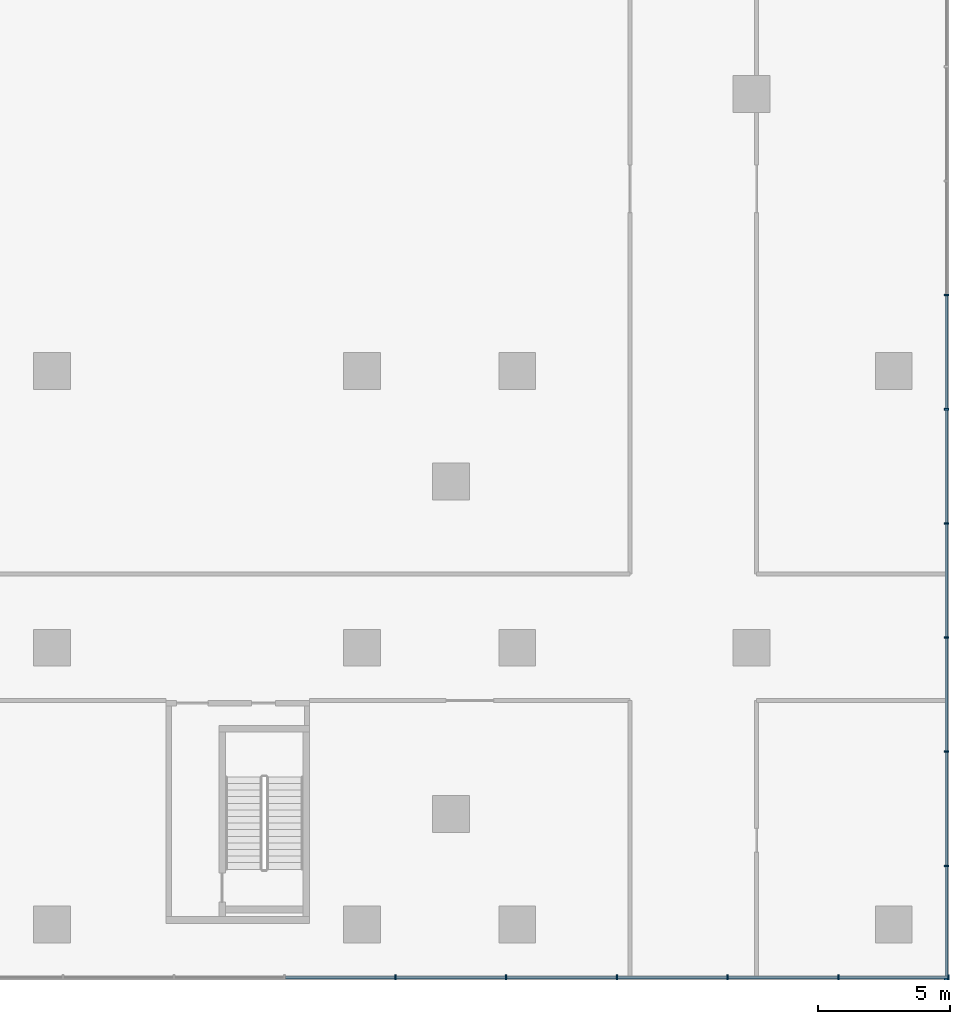
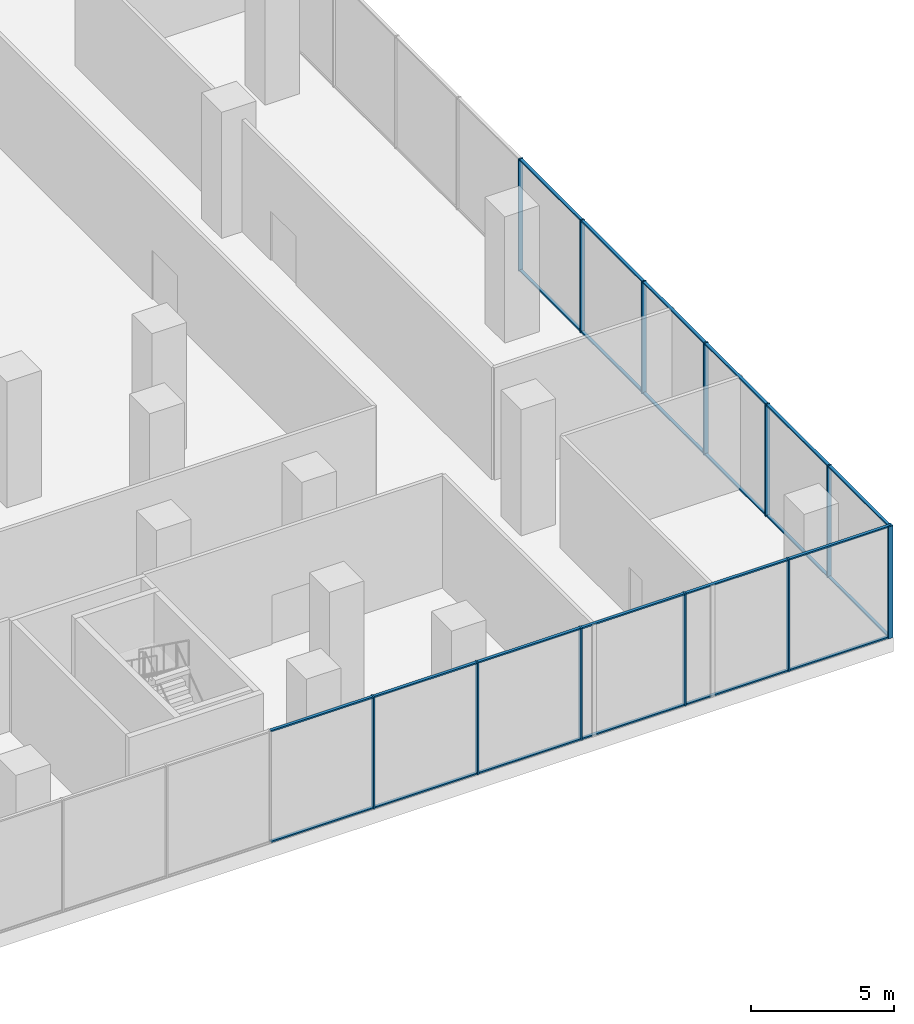
# One storey, part 8 of 24: 37 members, 2 elements without a shape of their own.
"""IFC4 building model written with IfcOpenShell, lengths in metres."""

from ifc_helpers import new_model, si_unit, direction, frame, origin, origin_2d, place, context, subcontext, project, spatial, rectangle, extrude, source, transform, mapped, material, layer, layer_set, material_profile, profile_set, type_object, element, aggregate, save


model = new_model("IFC4")

# Units and contexts
model_context = context("Model", 3, precision=1e-05, world=origin(), true_north=direction((0.0, 1.0)))
body_context = subcontext(model_context, "Body", "Model", "MODEL_VIEW")
ifc_project = project(units=[si_unit("LENGTHUNIT", "METRE"), si_unit("AREAUNIT", "SQUARE_METRE"), si_unit("VOLUMEUNIT", "CUBIC_METRE"), si_unit("PLANEANGLEUNIT", "RADIAN"), si_unit("MASSUNIT", "GRAM", prefix="KILO")], contexts=[model_context])

# Site, building, storey
site_placement = place(None, origin())
site = spatial("IfcSite", under=ifc_project, at=site_placement, CompositionType="ELEMENT")
building_placement = place(site_placement, origin())
building = spatial("IfcBuilding", under=site, at=building_placement, Name="Aurelian Terraces", CompositionType="ELEMENT")
storey_placement = place(building_placement, frame((0.0, 0.0, 12.9)))
storey = spatial("IfcBuildingStorey", under=building, at=storey_placement, Name="L02", CompositionType="ELEMENT", Elevation=12.9)

# Curtain wall, members
ifc_material_1 = material(Name="Anodised aluminium and clear glazing", Category="aluminium")
ifc_layer = layer(ifc_material_1, 0.2)
ifc_layer_set = layer_set([ifc_layer], Name="Winter garden glazing curtain wall")
curtain_wall_type = type_object("IfcCurtainWallType", Name="Winter garden glazing curtain wall", PredefinedType="NOTDEFINED", material=ifc_layer_set)
curtain_wall_1_placement = place(storey_placement, origin())
curtain_wall_1 = element("IfcCurtainWall", 1, at=curtain_wall_1_placement, inside=storey, type_object=curtain_wall_type, Name="Winter garden glazing L02 F02.1", PredefinedType="NOTDEFINED")
ifc_material_2 = material(Name="Anodised aluminium", Category="aluminium")
ifc_material_profile_1 = material_profile(ifc_material_2, rectangle(XDim=0.12, YDim=0.06, at=origin_2d()))
ifc_profile_set_1 = profile_set([ifc_material_profile_1], Name="Anodised aluminium")
member_type_1 = type_object("IfcMemberType", Name="Winter garden glazing transom", PredefinedType="USERDEFINED", material=ifc_profile_set_1)
member_1_placement = place(storey_placement, frame((86.0, -2.04, 0.03), z_axis=(0.0, 1.0, 0.0), x_axis=(-1.0, 0.0, 0.0)))
member_1 = element("IfcMember", 2, at=member_1_placement, type_object=member_type_1, Name="CW6 transom 1.1", ObjectType="TRANSOM", PredefinedType="USERDEFINED", context=body_context, shape_type="SweptSolid", body=[
    extrude(rectangle(XDim=0.12, YDim=0.06, at=origin_2d()), origin(), (0.0, 0.0, 1.0), 4.2392),
])
member_2_placement = place(storey_placement, frame((86.0, 2.2592, 0.03), z_axis=(0.0, 1.0, 0.0), x_axis=(-1.0, 0.0, 0.0)))
member_2 = element("IfcMember", 3, at=member_2_placement, type_object=member_type_1, Name="CW6 transom 2.1", ObjectType="TRANSOM", PredefinedType="USERDEFINED", context=body_context, shape_type="SweptSolid", body=[
    extrude(rectangle(XDim=0.12, YDim=0.06, at=origin_2d()), origin(), (0.0, 0.0, 1.0), 4.2693),
])
member_3_placement = place(storey_placement, frame((86.0, 6.5885, 0.03), z_axis=(0.0, 1.0, 0.0), x_axis=(-1.0, 0.0, 0.0)))
member_3 = element("IfcMember", 4, at=member_3_placement, type_object=member_type_1, Name="CW6 transom 3.1", ObjectType="TRANSOM", PredefinedType="USERDEFINED", context=body_context, shape_type="SweptSolid", body=[
    extrude(rectangle(XDim=0.12, YDim=0.06, at=origin_2d()), origin(), (0.0, 0.0, 1.0), 4.2692),
])

curtain_wall_2_placement = place(storey_placement, origin())
curtain_wall_2 = element("IfcCurtainWall", 5, at=curtain_wall_2_placement, inside=storey, type_object=curtain_wall_type, Name="Winter garden glazing L02 F01.1", PredefinedType="NOTDEFINED")
ifc_material_profile_2 = material_profile(ifc_material_2, rectangle(XDim=0.18, YDim=0.06, at=origin_2d()))
ifc_profile_set_2 = profile_set([ifc_material_profile_2], Name="Anodised aluminium")
member_type_2 = type_object("IfcMemberType", Name="Winter garden glazing mullion", PredefinedType="MULLION", material=ifc_profile_set_2)
shared_shape_1 = source(origin(), body_context, "Body", "SweptSolid", [
    extrude(rectangle(XDim=0.18, YDim=0.06, at=origin_2d()), origin(), (0.0, 0.0, 1.0), 4.8),
])
member_4_placement = place(storey_placement, frame((65.1, -2.0, 0.0), z_axis=(0.0, 0.0, 1.0), x_axis=(0.0, 1.0, 0.0)))
member_4 = element("IfcMember", 6, at=member_4_placement, type_object=member_type_2, Name="CW6 mullion 17", PredefinedType="MULLION", context=body_context, shape_type="MappedRepresentation", body=[
    mapped(shared_shape_1, transform((0.0, 0.0, 0.0), scale=1.0)),
])
member_5_placement = place(storey_placement, frame((69.3, -2.0, 0.0), z_axis=(0.0, 0.0, 1.0), x_axis=(0.0, 1.0, 0.0)))
member_5 = element("IfcMember", 7, at=member_5_placement, type_object=member_type_2, Name="CW6 mullion 18", PredefinedType="MULLION", context=body_context, shape_type="MappedRepresentation", body=[
    mapped(shared_shape_1, transform((0.0, 0.0, 0.0), scale=1.0)),
])
member_6_placement = place(storey_placement, frame((73.5, -2.0, 0.0), z_axis=(0.0, 0.0, 1.0), x_axis=(0.0, 1.0, 0.0)))
member_6 = element("IfcMember", 8, at=member_6_placement, type_object=member_type_2, Name="CW6 mullion 19", PredefinedType="MULLION", context=body_context, shape_type="MappedRepresentation", body=[
    mapped(shared_shape_1, transform((0.0, 0.0, 0.0), scale=1.0)),
])
member_7_placement = place(storey_placement, frame((77.7, -2.0, 0.0), z_axis=(0.0, 0.0, 1.0), x_axis=(0.0, 1.0, 0.0)))
member_7 = element("IfcMember", 9, at=member_7_placement, type_object=member_type_2, Name="CW6 mullion 20", PredefinedType="MULLION", context=body_context, shape_type="MappedRepresentation", body=[
    mapped(shared_shape_1, transform((0.0, 0.0, 0.0), scale=1.0)),
])
member_8_placement = place(storey_placement, frame((81.9, -2.0, 0.0), z_axis=(0.0, 0.0, 1.0), x_axis=(0.0, 1.0, 0.0)))
member_8 = element("IfcMember", 10, at=member_8_placement, type_object=member_type_2, Name="CW6 mullion 21", PredefinedType="MULLION", context=body_context, shape_type="MappedRepresentation", body=[
    mapped(shared_shape_1, transform((0.0, 0.0, 0.0), scale=1.0)),
])
member_9_placement = place(storey_placement, frame((86.07, -2.0, 0.0), z_axis=(0.0, 0.0, 1.0), x_axis=(0.0, 1.0, 0.0)))
member_9 = element("IfcMember", 11, at=member_9_placement, type_object=member_type_2, Name="CW6 mullion 22", PredefinedType="MULLION", context=body_context, shape_type="MappedRepresentation", body=[
    mapped(shared_shape_1, transform((0.0, 0.0, 0.0), scale=1.0)),
])

# Member
member_10_placement = place(storey_placement, frame((86.0, -2.07, 0.0), z_axis=(0.0, 0.0, 1.0), x_axis=(-1.0, 0.0, 0.0)))
member_10 = element("IfcMember", 12, at=member_10_placement, type_object=member_type_2, Name="CW6 mullion 1", PredefinedType="MULLION", context=body_context, shape_type="MappedRepresentation", body=[
    mapped(shared_shape_1, transform((0.0, 0.0, 0.0), scale=1.0)),
])

member_11_placement = place(storey_placement, frame((86.0, 2.2292, 0.0), z_axis=(0.0, 0.0, 1.0), x_axis=(-1.0, 0.0, 0.0)))
member_11 = element("IfcMember", 13, at=member_11_placement, type_object=member_type_2, Name="CW6 mullion 2", PredefinedType="MULLION", context=body_context, shape_type="MappedRepresentation", body=[
    mapped(shared_shape_1, transform((0.0, 0.0, 0.0), scale=1.0)),
])

member_12_placement = place(storey_placement, frame((86.0, 6.5585, 0.0), z_axis=(0.0, 0.0, 1.0), x_axis=(-1.0, 0.0, 0.0)))
member_12 = element("IfcMember", 14, at=member_12_placement, type_object=member_type_2, Name="CW6 mullion 3", PredefinedType="MULLION", context=body_context, shape_type="MappedRepresentation", body=[
    mapped(shared_shape_1, transform((0.0, 0.0, 0.0), scale=1.0)),
])

member_13_placement = place(storey_placement, frame((86.0, 10.8877, 0.0), z_axis=(0.0, 0.0, 1.0), x_axis=(-1.0, 0.0, 0.0)))
member_13 = element("IfcMember", 15, at=member_13_placement, type_object=member_type_2, Name="CW6 mullion 4", PredefinedType="MULLION", context=body_context, shape_type="MappedRepresentation", body=[
    mapped(shared_shape_1, transform((0.0, 0.0, 0.0), scale=1.0)),
])

member_14_placement = place(storey_placement, frame((86.0, 15.2169, 0.0), z_axis=(0.0, 0.0, 1.0), x_axis=(-1.0, 0.0, 0.0)))
member_14 = element("IfcMember", 16, at=member_14_placement, type_object=member_type_2, Name="CW6 mullion 5", PredefinedType="MULLION", context=body_context, shape_type="MappedRepresentation", body=[
    mapped(shared_shape_1, transform((0.0, 0.0, 0.0), scale=1.0)),
])

member_15_placement = place(storey_placement, frame((86.0, 19.5462, 0.0), z_axis=(0.0, 0.0, 1.0), x_axis=(-1.0, 0.0, 0.0)))
member_15 = element("IfcMember", 17, at=member_15_placement, type_object=member_type_2, Name="CW6 mullion 6", PredefinedType="MULLION", context=body_context, shape_type="MappedRepresentation", body=[
    mapped(shared_shape_1, transform((0.0, 0.0, 0.0), scale=1.0)),
])

member_16_placement = place(storey_placement, frame((86.0, 23.8754, 0.0), z_axis=(0.0, 0.0, 1.0), x_axis=(-1.0, 0.0, 0.0)))
member_16 = element("IfcMember", 18, at=member_16_placement, type_object=member_type_2, Name="CW6 mullion 7", PredefinedType="MULLION", context=body_context, shape_type="MappedRepresentation", body=[
    mapped(shared_shape_1, transform((0.0, 0.0, 0.0), scale=1.0)),
])

shared_shape_2 = source(origin(), body_context, "Body", "SweptSolid", [
    extrude(rectangle(XDim=0.12, YDim=0.06, at=origin_2d()), origin(), (0.0, 0.0, 1.0), 4.11),
])
member_17_placement = place(storey_placement, frame((81.93, -2.0, 0.03), z_axis=(1.0, 0.0, 0.0), x_axis=(0.0, 1.0, 0.0)))
member_17 = element("IfcMember", 19, at=member_17_placement, type_object=member_type_1, Name="CW6 transom 21.1", ObjectType="TRANSOM", PredefinedType="USERDEFINED", context=body_context, shape_type="MappedRepresentation", body=[
    mapped(shared_shape_2, transform((0.0, 0.0, 0.0), scale=1.0)),
])

member_18_placement = place(storey_placement, frame((81.93, -2.0, 4.77), z_axis=(1.0, 0.0, 0.0), x_axis=(0.0, 1.0, 0.0)))
member_18 = element("IfcMember", 20, at=member_18_placement, type_object=member_type_1, Name="CW6 transom 21.2", ObjectType="TRANSOM", PredefinedType="USERDEFINED", context=body_context, shape_type="MappedRepresentation", body=[
    mapped(shared_shape_2, transform((0.0, 0.0, 0.0), scale=1.0)),
])

shared_shape_3 = source(origin(), body_context, "Body", "SweptSolid", [
    extrude(rectangle(XDim=0.12, YDim=0.06, at=origin_2d()), origin(), (0.0, 0.0, 1.0), 4.14),
])
member_19_placement = place(storey_placement, frame((60.93, -2.0, 0.03), z_axis=(1.0, 0.0, 0.0), x_axis=(0.0, 1.0, 0.0)))
member_19 = element("IfcMember", 21, at=member_19_placement, type_object=member_type_1, Name="CW6 transom 16.1", ObjectType="TRANSOM", PredefinedType="USERDEFINED", context=body_context, shape_type="MappedRepresentation", body=[
    mapped(shared_shape_3, transform((0.0, 0.0, 0.0), scale=1.0)),
])

member_20_placement = place(storey_placement, frame((60.93, -2.0, 4.77), z_axis=(1.0, 0.0, 0.0), x_axis=(0.0, 1.0, 0.0)))
member_20 = element("IfcMember", 22, at=member_20_placement, type_object=member_type_1, Name="CW6 transom 16.2", ObjectType="TRANSOM", PredefinedType="USERDEFINED", context=body_context, shape_type="MappedRepresentation", body=[
    mapped(shared_shape_3, transform((0.0, 0.0, 0.0), scale=1.0)),
])

member_21_placement = place(storey_placement, frame((65.13, -2.0, 0.03), z_axis=(1.0, 0.0, 0.0), x_axis=(0.0, 1.0, 0.0)))
member_21 = element("IfcMember", 23, at=member_21_placement, type_object=member_type_1, Name="CW6 transom 17.1", ObjectType="TRANSOM", PredefinedType="USERDEFINED", context=body_context, shape_type="MappedRepresentation", body=[
    mapped(shared_shape_3, transform((0.0, 0.0, 0.0), scale=1.0)),
])

member_22_placement = place(storey_placement, frame((65.13, -2.0, 4.77), z_axis=(1.0, 0.0, 0.0), x_axis=(0.0, 1.0, 0.0)))
member_22 = element("IfcMember", 24, at=member_22_placement, type_object=member_type_1, Name="CW6 transom 17.2", ObjectType="TRANSOM", PredefinedType="USERDEFINED", context=body_context, shape_type="MappedRepresentation", body=[
    mapped(shared_shape_3, transform((0.0, 0.0, 0.0), scale=1.0)),
])

member_23_placement = place(storey_placement, frame((69.33, -2.0, 0.03), z_axis=(1.0, 0.0, 0.0), x_axis=(0.0, 1.0, 0.0)))
member_23 = element("IfcMember", 25, at=member_23_placement, type_object=member_type_1, Name="CW6 transom 18.1", ObjectType="TRANSOM", PredefinedType="USERDEFINED", context=body_context, shape_type="MappedRepresentation", body=[
    mapped(shared_shape_3, transform((0.0, 0.0, 0.0), scale=1.0)),
])

member_24_placement = place(storey_placement, frame((69.33, -2.0, 4.77), z_axis=(1.0, 0.0, 0.0), x_axis=(0.0, 1.0, 0.0)))
member_24 = element("IfcMember", 26, at=member_24_placement, type_object=member_type_1, Name="CW6 transom 18.2", ObjectType="TRANSOM", PredefinedType="USERDEFINED", context=body_context, shape_type="MappedRepresentation", body=[
    mapped(shared_shape_3, transform((0.0, 0.0, 0.0), scale=1.0)),
])

member_25_placement = place(storey_placement, frame((73.53, -2.0, 0.03), z_axis=(1.0, 0.0, 0.0), x_axis=(0.0, 1.0, 0.0)))
member_25 = element("IfcMember", 27, at=member_25_placement, type_object=member_type_1, Name="CW6 transom 19.1", ObjectType="TRANSOM", PredefinedType="USERDEFINED", context=body_context, shape_type="MappedRepresentation", body=[
    mapped(shared_shape_3, transform((0.0, 0.0, 0.0), scale=1.0)),
])

member_26_placement = place(storey_placement, frame((73.53, -2.0, 4.77), z_axis=(1.0, 0.0, 0.0), x_axis=(0.0, 1.0, 0.0)))
member_26 = element("IfcMember", 28, at=member_26_placement, type_object=member_type_1, Name="CW6 transom 19.2", ObjectType="TRANSOM", PredefinedType="USERDEFINED", context=body_context, shape_type="MappedRepresentation", body=[
    mapped(shared_shape_3, transform((0.0, 0.0, 0.0), scale=1.0)),
])

member_27_placement = place(storey_placement, frame((77.73, -2.0, 0.03), z_axis=(1.0, 0.0, 0.0), x_axis=(0.0, 1.0, 0.0)))
member_27 = element("IfcMember", 29, at=member_27_placement, type_object=member_type_1, Name="CW6 transom 20.1", ObjectType="TRANSOM", PredefinedType="USERDEFINED", context=body_context, shape_type="MappedRepresentation", body=[
    mapped(shared_shape_3, transform((0.0, 0.0, 0.0), scale=1.0)),
])

member_28_placement = place(storey_placement, frame((77.73, -2.0, 4.77), z_axis=(1.0, 0.0, 0.0), x_axis=(0.0, 1.0, 0.0)))
member_28 = element("IfcMember", 30, at=member_28_placement, type_object=member_type_1, Name="CW6 transom 20.2", ObjectType="TRANSOM", PredefinedType="USERDEFINED", context=body_context, shape_type="MappedRepresentation", body=[
    mapped(shared_shape_3, transform((0.0, 0.0, 0.0), scale=1.0)),
])

aggregate(curtain_wall_2, [member_4, member_5, member_6, member_7, member_8, member_9, member_19, member_20, member_21, member_22, member_23, member_24, member_25, member_26, member_27, member_28, member_17, member_18])

shared_shape_4 = source(origin(), body_context, "Body", "SweptSolid", [
    extrude(rectangle(XDim=0.12, YDim=0.06, at=origin_2d()), origin(), (0.0, 0.0, 1.0), 4.2392),
])
member_29_placement = place(storey_placement, frame((86.0, -2.04, 4.77), z_axis=(0.0, 1.0, 0.0), x_axis=(-1.0, 0.0, 0.0)))
member_29 = element("IfcMember", 31, at=member_29_placement, type_object=member_type_1, Name="CW6 transom 1.2", ObjectType="TRANSOM", PredefinedType="USERDEFINED", context=body_context, shape_type="MappedRepresentation", body=[
    mapped(shared_shape_4, transform((0.0, 0.0, 0.0), scale=1.0)),
])

shared_shape_5 = source(origin(), body_context, "Body", "SweptSolid", [
    extrude(rectangle(XDim=0.12, YDim=0.06, at=origin_2d()), origin(), (0.0, 0.0, 1.0), 4.2693),
])
member_30_placement = place(storey_placement, frame((86.0, 2.2592, 4.77), z_axis=(0.0, 1.0, 0.0), x_axis=(-1.0, 0.0, 0.0)))
member_30 = element("IfcMember", 32, at=member_30_placement, type_object=member_type_1, Name="CW6 transom 2.2", ObjectType="TRANSOM", PredefinedType="USERDEFINED", context=body_context, shape_type="MappedRepresentation", body=[
    mapped(shared_shape_5, transform((0.0, 0.0, 0.0), scale=1.0)),
])

member_31_placement = place(storey_placement, frame((86.0, 15.2469, 0.03), z_axis=(0.0, 1.0, 0.0), x_axis=(-1.0, 0.0, 0.0)))
member_31 = element("IfcMember", 33, at=member_31_placement, type_object=member_type_1, Name="CW6 transom 5.1", ObjectType="TRANSOM", PredefinedType="USERDEFINED", context=body_context, shape_type="MappedRepresentation", body=[
    mapped(shared_shape_5, transform((0.0, 0.0, 0.0), scale=1.0)),
])

member_32_placement = place(storey_placement, frame((86.0, 15.2469, 4.77), z_axis=(0.0, 1.0, 0.0), x_axis=(-1.0, 0.0, 0.0)))
member_32 = element("IfcMember", 34, at=member_32_placement, type_object=member_type_1, Name="CW6 transom 5.2", ObjectType="TRANSOM", PredefinedType="USERDEFINED", context=body_context, shape_type="MappedRepresentation", body=[
    mapped(shared_shape_5, transform((0.0, 0.0, 0.0), scale=1.0)),
])

shared_shape_6 = source(origin(), body_context, "Body", "SweptSolid", [
    extrude(rectangle(XDim=0.12, YDim=0.06, at=origin_2d()), origin(), (0.0, 0.0, 1.0), 4.2692),
])
member_33_placement = place(storey_placement, frame((86.0, 6.5885, 4.77), z_axis=(0.0, 1.0, 0.0), x_axis=(-1.0, 0.0, 0.0)))
member_33 = element("IfcMember", 35, at=member_33_placement, type_object=member_type_1, Name="CW6 transom 3.2", ObjectType="TRANSOM", PredefinedType="USERDEFINED", context=body_context, shape_type="MappedRepresentation", body=[
    mapped(shared_shape_6, transform((0.0, 0.0, 0.0), scale=1.0)),
])

member_34_placement = place(storey_placement, frame((86.0, 10.9177, 0.03), z_axis=(0.0, 1.0, 0.0), x_axis=(-1.0, 0.0, 0.0)))
member_34 = element("IfcMember", 36, at=member_34_placement, type_object=member_type_1, Name="CW6 transom 4.1", ObjectType="TRANSOM", PredefinedType="USERDEFINED", context=body_context, shape_type="MappedRepresentation", body=[
    mapped(shared_shape_6, transform((0.0, 0.0, 0.0), scale=1.0)),
])

member_35_placement = place(storey_placement, frame((86.0, 10.9177, 4.77), z_axis=(0.0, 1.0, 0.0), x_axis=(-1.0, 0.0, 0.0)))
member_35 = element("IfcMember", 37, at=member_35_placement, type_object=member_type_1, Name="CW6 transom 4.2", ObjectType="TRANSOM", PredefinedType="USERDEFINED", context=body_context, shape_type="MappedRepresentation", body=[
    mapped(shared_shape_6, transform((0.0, 0.0, 0.0), scale=1.0)),
])

member_36_placement = place(storey_placement, frame((86.0, 19.5762, 0.03), z_axis=(0.0, 1.0, 0.0), x_axis=(-1.0, 0.0, 0.0)))
member_36 = element("IfcMember", 38, at=member_36_placement, type_object=member_type_1, Name="CW6 transom 6.1", ObjectType="TRANSOM", PredefinedType="USERDEFINED", context=body_context, shape_type="MappedRepresentation", body=[
    mapped(shared_shape_6, transform((0.0, 0.0, 0.0), scale=1.0)),
])

member_37_placement = place(storey_placement, frame((86.0, 19.5762, 4.77), z_axis=(0.0, 1.0, 0.0), x_axis=(-1.0, 0.0, 0.0)))
member_37 = element("IfcMember", 39, at=member_37_placement, type_object=member_type_1, Name="CW6 transom 6.2", ObjectType="TRANSOM", PredefinedType="USERDEFINED", context=body_context, shape_type="MappedRepresentation", body=[
    mapped(shared_shape_6, transform((0.0, 0.0, 0.0), scale=1.0)),
])

aggregate(curtain_wall_1, [member_10, member_11, member_12, member_13, member_14, member_15, member_16, member_1, member_29, member_2, member_30, member_3, member_33, member_34, member_35, member_31, member_32, member_36, member_37])

save(model, "model.ifc")
